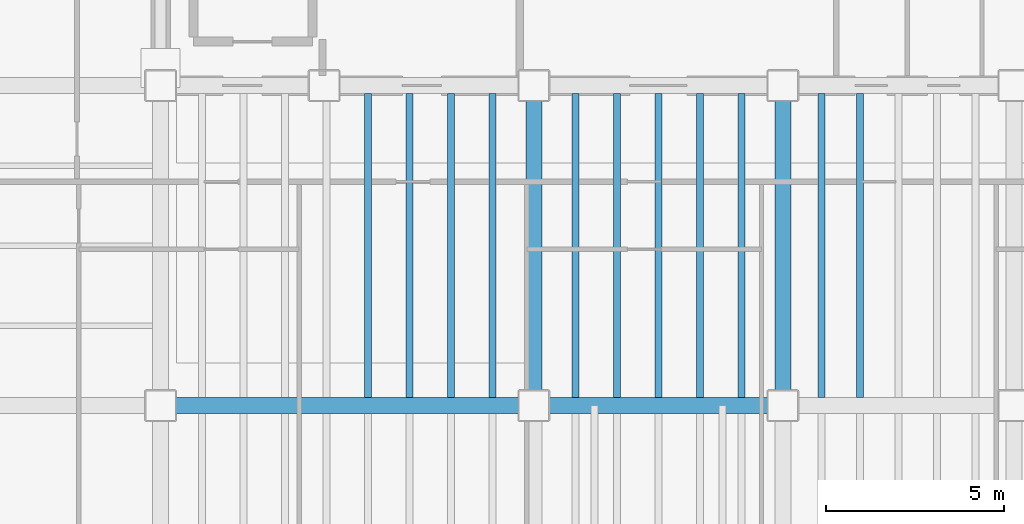
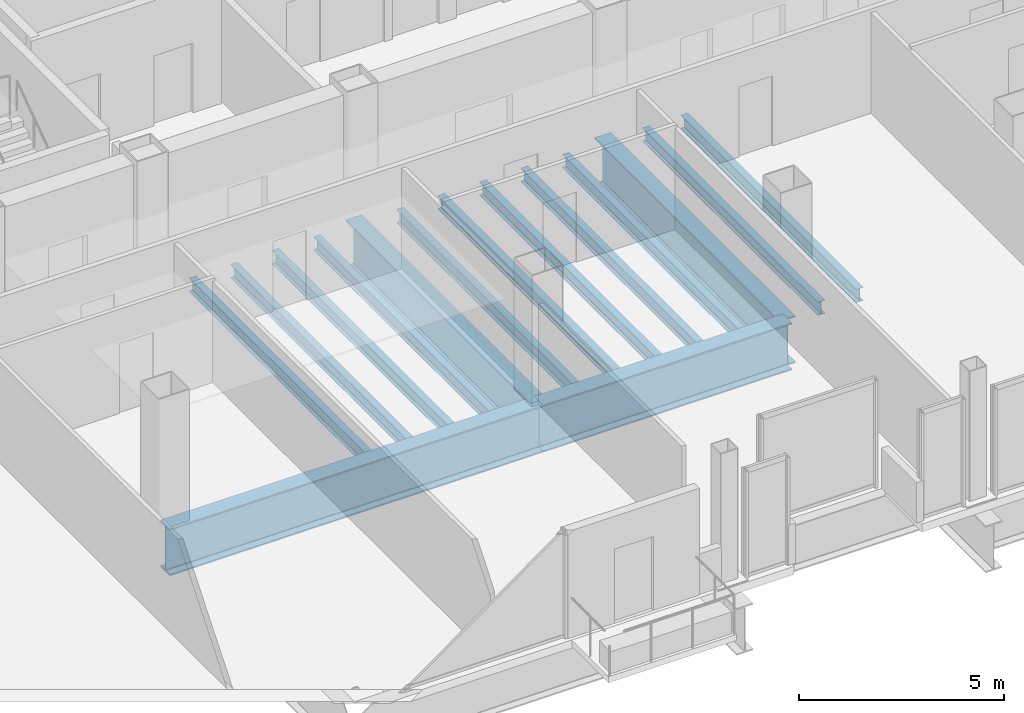
# One storey, part 7 of 24: 15 beams.
"""IFC4 building model written with IfcOpenShell, lengths in metres."""

from ifc_helpers import new_model, si_unit, direction, frame, origin, origin_2d, place, context, subcontext, project, spatial, i_section, extrude, material, material_profile, profile_set, type_object, element, save


model = new_model("IFC4")

# Units and contexts
model_context = context("Model", 3, precision=1e-05, world=origin(), true_north=direction((0.0, 1.0)))
body_context = subcontext(model_context, "Body", "Model", "MODEL_VIEW")
ifc_project = project(units=[si_unit("LENGTHUNIT", "METRE"), si_unit("AREAUNIT", "SQUARE_METRE"), si_unit("VOLUMEUNIT", "CUBIC_METRE"), si_unit("PLANEANGLEUNIT", "RADIAN"), si_unit("MASSUNIT", "GRAM", prefix="KILO")], contexts=[model_context])

# Site, building, storey
site_placement = place(None, origin())
site = spatial("IfcSite", under=ifc_project, at=site_placement, CompositionType="ELEMENT")
building_placement = place(site_placement, origin())
building = spatial("IfcBuilding", under=site, at=building_placement, Name="Noeulbin Bourse Tower", CompositionType="ELEMENT")
storey_placement = place(building_placement, frame((0.0, 0.0, 114.89990234375)))
storey = spatial("IfcBuildingStorey", under=building, at=storey_placement, Name="L28", CompositionType="ELEMENT", Elevation=114.89990234375)

# Beams
ifc_material_1 = material(Name="Steel S355", Category="steel")
ifc_material_profile_1 = material_profile(ifc_material_1, i_section(OverallWidth=0.199951171875, OverallDepth=0.39990234375, WebThickness=0.008056640625, FlangeThickness=0.012939453125, FilletRadius=0.01611328125, at=origin_2d()), Name="H-400x200x8x13", Category="LoadBearing")
ifc_profile_set_1 = profile_set([ifc_material_profile_1], Name="Steel S355")
beam_type_1 = type_object("IfcBeamType", Name="BM-SEC-400", PredefinedType="BEAM", material=ifc_profile_set_1)
for number, where, z_axis, x_axis, name in (
    (1, (19.333251953125, 20.22509765625, -0.43994140625), (0.0, 1.0, 0.0), (-1.0, 0.0, 0.0), "Tower Composite Joist L28-10"),
    (2, (20.5, 20.22509765625, -0.43994140625), (0.0, 1.0, 0.0), (-1.0, 0.0, 0.0), "Tower Composite Joist L28-12"),
    (3, (21.666748046875, 20.22509765625, -0.43994140625), (0.0, 1.0, 0.0), (-1.0, 0.0, 0.0), "Tower Composite Joist L28-14"),
    (4, (22.833251953125, 20.22509765625, -0.43994140625), (0.0, 1.0, 0.0), (-1.0, 0.0, 0.0), "Tower Composite Joist L28-16"),
    (5, (25.166748046875, 20.22509765625, -0.43994140625), (0.0, 1.0, 0.0), (-1.0, 0.0, 0.0), "Tower Composite Joist L28-18"),
    (6, (26.333251953125, 20.22509765625, -0.43994140625), (0.0, 1.0, 0.0), (-1.0, 0.0, 0.0), "Tower Composite Joist L28-20"),
    (7, (27.5, 20.22509765625, -0.43994140625), (0.0, 1.0, 0.0), (-1.0, 0.0, 0.0), "Tower Composite Joist L28-22"),
    (8, (28.666748046875, 20.22509765625, -0.43994140625), (0.0, 1.0, 0.0), (-1.0, 0.0, 0.0), "Tower Composite Joist L28-24"),
    (9, (29.833251953125, 20.22509765625, -0.43994140625), (0.0, 1.0, 0.0), (-1.0, 0.0, 0.0), "Tower Composite Joist L28-26"),
    (10, (32.083251953125, 20.22509765625, -0.43994140625), (0.0, 1.0, 0.0), (-1.0, 0.0, 0.0), "Tower Composite Joist L28-28"),
    (11, (33.166748046875, 20.22509765625, -0.43994140625), (0.0, 1.0, 0.0), (-1.0, 0.0, 0.0), "Tower Composite Joist L28-30"),
):
    element("IfcBeam", number, at=place(storey_placement, frame(where, z_axis=z_axis, x_axis=x_axis)), inside=storey, type_object=beam_type_1, Name=name, PredefinedType="BEAM", context=body_context, shape_type="SweptSolid", body=[
        extrude(i_section(OverallWidth=0.199951171875, OverallDepth=0.39990234375, WebThickness=0.008056640625, FlangeThickness=0.012939453125, FilletRadius=0.01611328125, at=origin_2d()), origin(), (0.0, 0.0, 1.0), 8.5498046875),
    ])
ifc_material_2 = material(Name="Steel S460", Category="steel")
ifc_material_profile_2 = material_profile(ifc_material_2, i_section(OverallWidth=0.449951171875, OverallDepth=1.39990234375, WebThickness=0.02392578125, FlangeThickness=0.0400390625, FilletRadius=0.02392578125, at=origin_2d()), Name="PG-1400x450x24x40", Category="LoadBearing")
ifc_profile_set_2 = profile_set([ifc_material_profile_2], Name="Steel S460")
beam_type_2 = type_object("IfcBeamType", Name="BM-TRF-1400", PredefinedType="USERDEFINED", material=ifc_profile_set_2)
beam_1_placement = place(storey_placement, frame((13.5, 20.0, -0.93994140625), z_axis=(1.0, 0.0, 0.0), x_axis=(0.0, 1.0, 0.0)))
element("IfcBeam", 12, at=beam_1_placement, inside=storey, type_object=beam_type_2, Name="Tower Primary Girder EW L28-1.4", ObjectType="GIRDER", PredefinedType="USERDEFINED", context=body_context, shape_type="SweptSolid", body=[
    extrude(i_section(OverallWidth=0.449951171875, OverallDepth=1.39990234375, WebThickness=0.02392578125, FlangeThickness=0.0400390625, FilletRadius=0.02392578125, at=origin_2d()), origin(), (0.0, 0.0, 1.0), 10.5),
])
beam_2_placement = place(storey_placement, frame((24.0, 20.0, -0.93994140625), z_axis=(1.0, 0.0, 0.0), x_axis=(0.0, 1.0, 0.0)))
element("IfcBeam", 13, at=beam_2_placement, inside=storey, type_object=beam_type_2, Name="Tower Primary Girder EW L28-1.5", ObjectType="GIRDER", PredefinedType="USERDEFINED", context=body_context, shape_type="SweptSolid", body=[
    extrude(i_section(OverallWidth=0.449951171875, OverallDepth=1.39990234375, WebThickness=0.02392578125, FlangeThickness=0.0400390625, FilletRadius=0.02392578125, at=origin_2d()), origin(), (0.0, 0.0, 1.0), 7.0),
])
for number, where, z_axis, x_axis, name in (
    (14, (24.0, 20.0, -0.93994140625), (0.0, 1.0, 0.0), (-1.0, 0.0, 0.0), "Tower Primary Girder NS L28-2.2"),
    (15, (31.0, 20.0, -0.93994140625), (0.0, 1.0, 0.0), (-1.0, 0.0, 0.0), "Tower Primary Girder NS L28-3.2"),
):
    element("IfcBeam", number, at=place(storey_placement, frame(where, z_axis=z_axis, x_axis=x_axis)), inside=storey, type_object=beam_type_2, Name=name, ObjectType="GIRDER", PredefinedType="USERDEFINED", context=body_context, shape_type="SweptSolid", body=[
        extrude(i_section(OverallWidth=0.449951171875, OverallDepth=1.39990234375, WebThickness=0.02392578125, FlangeThickness=0.0400390625, FilletRadius=0.02392578125, at=origin_2d()), origin(), (0.0, 0.0, 1.0), 9.0),
    ])

save(model, "model.ifc")
